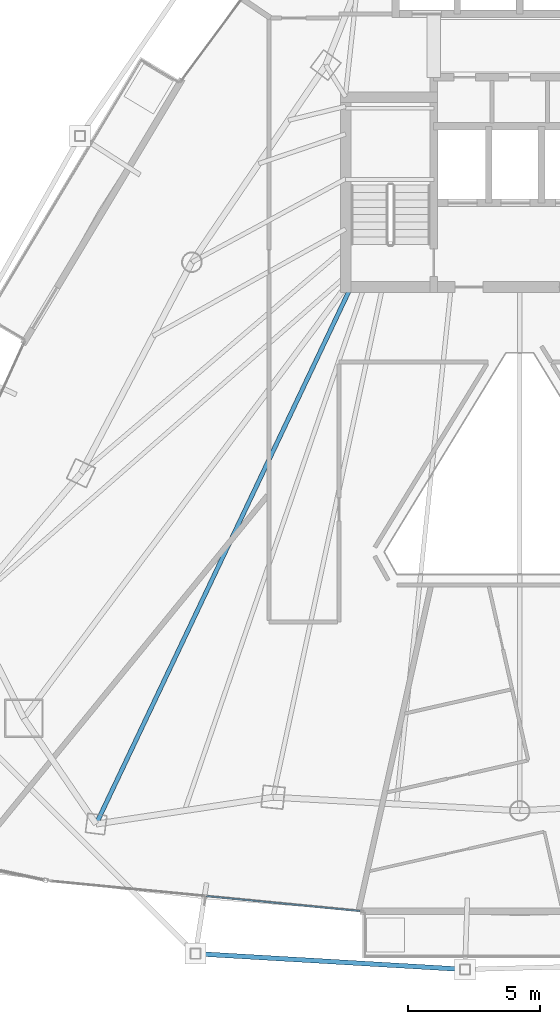
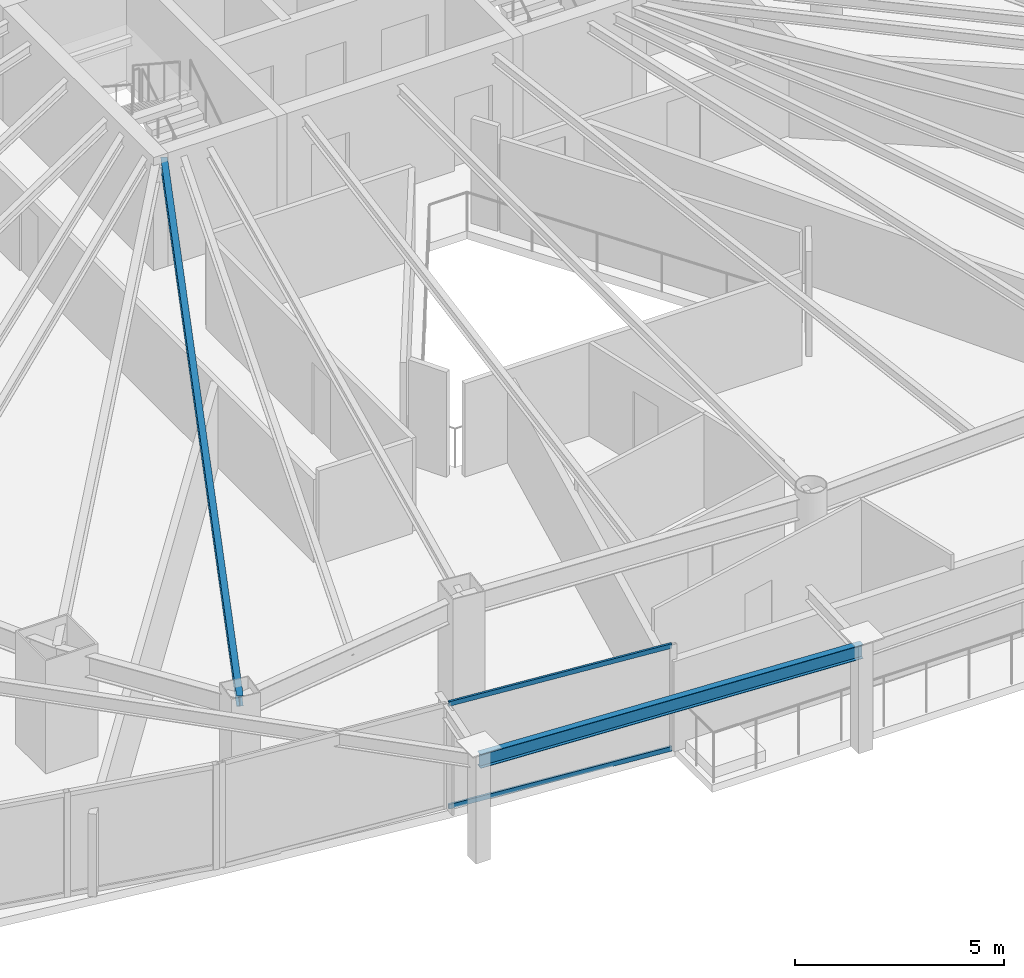
# One storey, part 6 of 33: 2 beams, 2 members, 1 element without a shape of its own.
"""IFC4 building model written with IfcOpenShell, lengths in metres."""

from ifc_helpers import new_model, si_unit, direction, frame, origin, origin_2d, place, context, subcontext, project, spatial, hollow_rectangle, i_section, extrude, material, layer, layer_set, material_profile, profile_set, type_object, element, aggregate, save


model = new_model("IFC4")

# Units and contexts
model_context = context("Model", 3, precision=1e-05, world=origin(), true_north=direction((0.0, 1.0)))
body_context = subcontext(model_context, "Body", "Model", "MODEL_VIEW")
ifc_project = project(units=[si_unit("LENGTHUNIT", "METRE"), si_unit("AREAUNIT", "SQUARE_METRE"), si_unit("VOLUMEUNIT", "CUBIC_METRE"), si_unit("PLANEANGLEUNIT", "RADIAN"), si_unit("MASSUNIT", "GRAM", prefix="KILO")], contexts=[model_context])

# Site, building, storey
site_placement = place(None, origin())
site = spatial("IfcSite", under=ifc_project, at=site_placement, CompositionType="ELEMENT")
building_placement = place(site_placement, origin())
building = spatial("IfcBuilding", under=site, at=building_placement, Name="Orvanel Arch Residences", CompositionType="ELEMENT")
storey_placement = place(building_placement, frame((0.0, 0.0, 123.199951171875)))
storey = spatial("IfcBuildingStorey", under=building, at=storey_placement, Name="L34", CompositionType="ELEMENT", Elevation=123.199951171875)

# Beams
ifc_material_1 = material(Name="Structural steel AS/NZS 3679.1 Grade 300 (300 MPa)", Category="steel")
ifc_material_profile_1 = material_profile(ifc_material_1, i_section(OverallWidth=0.1650390625, OverallDepth=0.303955078125, WebThickness=0.006103515625, FlangeThickness=0.01025390625, at=origin_2d()), Name="310UB40.4")
ifc_profile_set_1 = profile_set([ifc_material_profile_1], Name="Structural steel AS/NZS 3679.1 Grade 300 (300 MPa)")
beam_type_1 = type_object("IfcBeamType", Name="BJ-310UB", PredefinedType="JOIST", material=ifc_profile_set_1)
beam_1_placement = place(storey_placement, frame((26.60009765625, 26.699951171875, 2.907958984375), z_axis=(-0.428614365266, -0.903487534993, 0.0), x_axis=(0.903487534993, -0.428614365266, 0.0)))
element("IfcBeam", 1, at=beam_1_placement, inside=storey, type_object=beam_type_1, Name="L34 MSW Wing Floor Joist", PredefinedType="JOIST", context=body_context, shape_type="SweptSolid", body=[
    extrude(i_section(OverallWidth=0.1650390625, OverallDepth=0.303955078125, WebThickness=0.006103515625, FlangeThickness=0.01025390625, at=origin_2d()), origin(), (0.0, 0.0, 1.0), 22.535888671875),
])
ifc_material_profile_2 = material_profile(ifc_material_1, i_section(OverallWidth=0.177978515625, OverallDepth=0.406005859375, WebThickness=0.0078125, FlangeThickness=0.0126953125, at=origin_2d()), Name="410UB59.7")
ifc_profile_set_2 = profile_set([ifc_material_profile_2], Name="Structural steel AS/NZS 3679.1 Grade 300 (300 MPa)")
beam_type_2 = type_object("IfcBeamType", Name="OB-410UB-EXT", PredefinedType="SPANDREL", material=ifc_profile_set_2)
beam_2_placement = place(storey_placement, frame((20.70703125, 1.424072265625, 2.85693359375), z_axis=(0.998290703573, -0.058443743548, 0.0), x_axis=(0.058443743548, 0.998290703573, 0.0)))
element("IfcBeam", 2, at=beam_2_placement, inside=storey, type_object=beam_type_2, Name="L34 Outer Perimeter Floor Ring Beam 05", PredefinedType="SPANDREL", context=body_context, shape_type="SweptSolid", body=[
    extrude(i_section(OverallWidth=0.177978515625, OverallDepth=0.406005859375, WebThickness=0.0078125, FlangeThickness=0.0126953125, at=origin_2d()), origin(), (0.0, 0.0, 1.0), 10.234619140625),
])

# Curtain wall, members
ifc_material_2 = material(Name="Bronze-anodised aluminium AA6063-T6", Category="aluminium")
ifc_layer = layer(ifc_material_2, 0.179931640625)
ifc_layer_set = layer_set([ifc_layer], Name="Bronze-anodised aluminium AA6063-T6")
curtain_wall_type = type_object("IfcCurtainWallType", Name="CW3-MID-SYS", PredefinedType="NOTDEFINED", material=ifc_layer_set)
curtain_wall_placement = place(storey_placement, origin())
curtain_wall = element("IfcCurtainWall", 3, at=curtain_wall_placement, inside=storey, type_object=curtain_wall_type, Name="L34 CW3-MID-SYS Unitised Curtain Wall", PredefinedType="NOTDEFINED")
ifc_material_profile_3 = material_profile(ifc_material_2, hollow_rectangle(XDim=0.06005859375, YDim=0.135009765625, WallThickness=0.00390625, at=origin_2d()), Name="ALU135x60x4")
ifc_profile_set_3 = profile_set([ifc_material_profile_3], Name="Bronze-anodised aluminium AA6063-T6")
member_type = type_object("IfcMemberType", Name="TRN-135x60", PredefinedType="USERDEFINED", material=ifc_profile_set_3)
member_1_placement = place(storey_placement, frame((21.117431640625, 3.605712890625, 0.030029296875), z_axis=(0.99536005659, -0.096220360342, 0.0), x_axis=(0.096220360342, 0.99536005659, 0.0)))
member_1 = element("IfcMember", 4, at=member_1_placement, type_object=member_type, Name="CW-S3 transom 2.1", ObjectType="TRANSOM", PredefinedType="USERDEFINED", context=body_context, shape_type="SweptSolid", body=[
    extrude(hollow_rectangle(XDim=0.06005859375, YDim=0.135009765625, WallThickness=0.00390625, at=origin_2d()), origin(), (0.0, 0.0, 1.0), 5.861083984375),
])
member_2_placement = place(storey_placement, frame((21.117431640625, 3.605712890625, 3.030029296875), z_axis=(0.99536005659, -0.096220360342, 0.0), x_axis=(0.096220360342, 0.99536005659, 0.0)))
member_2 = element("IfcMember", 5, at=member_2_placement, type_object=member_type, Name="CW-S3 transom 2.2", ObjectType="TRANSOM", PredefinedType="USERDEFINED", context=body_context, shape_type="SweptSolid", body=[
    extrude(hollow_rectangle(XDim=0.06005859375, YDim=0.135009765625, WallThickness=0.00390625, at=origin_2d()), origin(), (0.0, 0.0, 1.0), 5.861083984375),
])
aggregate(curtain_wall, [member_1, member_2])

save(model, "model.ifc")
